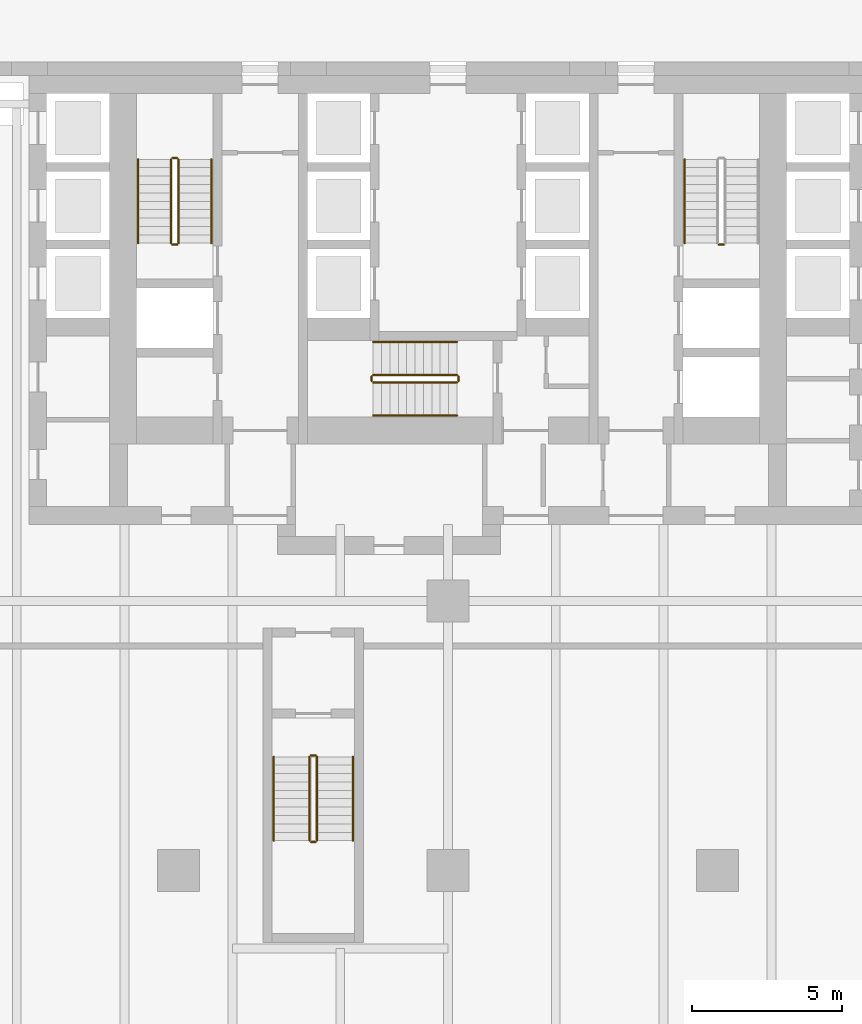
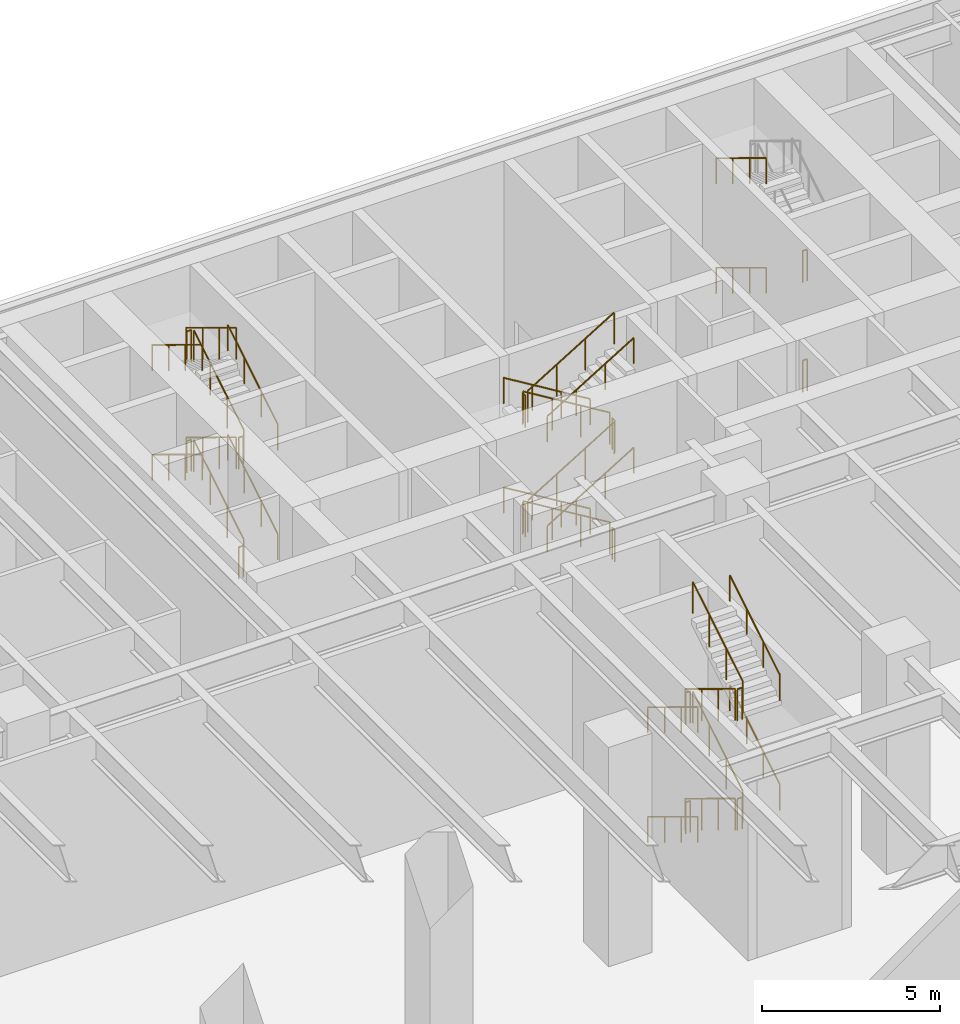
# One storey, part 35 of 37: 40 railings.
"""IFC4 building model written with IfcOpenShell, lengths in metres."""

from ifc_helpers import new_model, si_unit, direction, frame, origin, origin_2d, place, context, subcontext, project, spatial, circle, extrude, material, type_object, element, save


model = new_model("IFC4")

# Units and contexts
model_context = context("Model", 3, precision=1e-05, world=origin(), true_north=direction((0.0, 1.0)))
body_context = subcontext(model_context, "Body", "Model", "MODEL_VIEW")
ifc_project = project(units=[si_unit("LENGTHUNIT", "METRE"), si_unit("AREAUNIT", "SQUARE_METRE"), si_unit("VOLUMEUNIT", "CUBIC_METRE"), si_unit("PLANEANGLEUNIT", "RADIAN"), si_unit("MASSUNIT", "GRAM", prefix="KILO")], contexts=[model_context])

# Site, building, storey
site_placement = place(None, origin())
site = spatial("IfcSite", under=ifc_project, at=site_placement, CompositionType="ELEMENT")
building_placement = place(site_placement, origin())
building = spatial("IfcBuilding", under=site, at=building_placement, Name="Aloe Facet Convention Tower", CompositionType="ELEMENT")
storey_placement = place(building_placement, origin())
storey = spatial("IfcBuildingStorey", under=building, at=storey_placement, Name="L00", CompositionType="ELEMENT", Elevation=0.0)

# Railings
ifc_material_1 = material(Name="Steel S355 balustrade", Category="steel")
railing_type_1 = type_object("IfcRailingType", Name="CR-RL-GUARD", PredefinedType="GUARDRAIL", material=ifc_material_1)
railing_1_placement = place(storey_placement, frame((71.0, 128.949951171875, 0.17041015625)))
element("IfcRailing", 1, at=railing_1_placement, inside=storey, type_object=railing_type_1, Name="L00 ST1 stair guard 1", PredefinedType="GUARDRAIL", context=body_context, shape_type="SweptSolid", body=[
    extrude(circle(Radius=0.02392578125, at=origin_2d()), frame((0.0, 0.0, 1.076171875), z_axis=(0.0, 0.854169791009, 0.51999420009), x_axis=(-1.0, 0.0, 0.0)), (0.0, 0.0, 1.0), 3.278076171875),
    extrude(circle(Radius=0.02099609375, at=origin_2d()), origin(), (0.0, 0.0, 1.0), 1.052001953125),
    extrude(circle(Radius=0.02099609375, at=origin_2d()), frame((0.0, 0.933349609375, 0.568115234375)), (0.0, 0.0, 1.0), 1.052001953125),
    extrude(circle(Radius=0.02099609375, at=origin_2d()), frame((0.0, 1.86669921875, 1.136474609375)), (0.0, 0.0, 1.0), 1.052001953125),
    extrude(circle(Radius=0.02099609375, at=origin_2d()), frame((0.0, 2.800048828125, 1.70458984375)), (0.0, 0.0, 1.0), 1.052001953125),
])
railing_2_placement = place(storey_placement, frame((70.949951171875, 131.800048828125, 1.875)))
element("IfcRailing", 2, at=railing_2_placement, inside=storey, type_object=railing_type_1, Name="L00 ST1 stair guard 2", PredefinedType="GUARDRAIL", context=body_context, shape_type="SweptSolid", body=[
    extrude(circle(Radius=0.02392578125, at=origin_2d()), frame((0.0, 0.0, 1.076171875), z_axis=(-1.0, 0.0, 0.0), x_axis=(0.0, -1.0, 0.0)), (0.0, 0.0, 1.0), 0.14990234375),
    extrude(circle(Radius=0.02099609375, at=origin_2d()), origin(), (0.0, 0.0, 1.0), 1.052001953125),
    extrude(circle(Radius=0.02099609375, at=origin_2d()), frame((-0.14990234375, 0.0, 0.0)), (0.0, 0.0, 1.0), 1.052001953125),
])
railing_3_placement = place(storey_placement, frame((70.75, 131.75, 2.04541015625)))
element("IfcRailing", 3, at=railing_3_placement, inside=storey, type_object=railing_type_1, Name="L00 ST1 stair guard 3", PredefinedType="GUARDRAIL", context=body_context, shape_type="SweptSolid", body=[
    extrude(circle(Radius=0.02392578125, at=origin_2d()), frame((0.0, 0.0, 1.076171875), z_axis=(0.0, -0.854169791009, 0.51999420009), x_axis=(1.0, 0.0, 0.0)), (0.0, 0.0, 1.0), 3.278076171875),
    extrude(circle(Radius=0.02099609375, at=origin_2d()), origin(), (0.0, 0.0, 1.0), 1.052001953125),
    extrude(circle(Radius=0.02099609375, at=origin_2d()), frame((0.0, -0.933349609375, 0.568115234375)), (0.0, 0.0, 1.0), 1.052001953125),
    extrude(circle(Radius=0.02099609375, at=origin_2d()), frame((0.0, -1.86669921875, 1.136474609375)), (0.0, 0.0, 1.0), 1.052001953125),
    extrude(circle(Radius=0.02099609375, at=origin_2d()), frame((0.0, -2.800048828125, 1.70458984375)), (0.0, 0.0, 1.0), 1.052001953125),
])
railing_4_placement = place(storey_placement, frame((70.949951171875, 128.89990234375, 3.75)))
element("IfcRailing", 4, at=railing_4_placement, inside=storey, type_object=railing_type_1, Name="L00 ST1 stair guard 4", PredefinedType="GUARDRAIL", context=body_context, shape_type="SweptSolid", body=[
    extrude(circle(Radius=0.02392578125, at=origin_2d()), frame((0.0, 0.0, 1.076171875), z_axis=(-1.0, 0.0, 0.0), x_axis=(0.0, -1.0, 0.0)), (0.0, 0.0, 1.0), 0.14990234375),
    extrude(circle(Radius=0.02099609375, at=origin_2d()), origin(), (0.0, 0.0, 1.0), 1.052001953125),
    extrude(circle(Radius=0.02099609375, at=origin_2d()), frame((-0.14990234375, 0.0, 0.0)), (0.0, 0.0, 1.0), 1.052001953125),
])
railing_5_placement = place(storey_placement, frame((71.0, 128.949951171875, 3.92041015625)))
element("IfcRailing", 5, at=railing_5_placement, inside=storey, type_object=railing_type_1, Name="L00 ST1 stair guard 5", PredefinedType="GUARDRAIL", context=body_context, shape_type="SweptSolid", body=[
    extrude(circle(Radius=0.02392578125, at=origin_2d()), frame((0.0, 0.0, 1.076171875), z_axis=(0.0, 0.854169791009, 0.51999420009), x_axis=(-1.0, 0.0, 0.0)), (0.0, 0.0, 1.0), 3.278076171875),
    extrude(circle(Radius=0.02099609375, at=origin_2d()), origin(), (0.0, 0.0, 1.0), 1.052001953125),
    extrude(circle(Radius=0.02099609375, at=origin_2d()), frame((0.0, 0.933349609375, 0.568115234375)), (0.0, 0.0, 1.0), 1.052001953125),
    extrude(circle(Radius=0.02099609375, at=origin_2d()), frame((0.0, 1.86669921875, 1.136474609375)), (0.0, 0.0, 1.0), 1.052001953125),
    extrude(circle(Radius=0.02099609375, at=origin_2d()), frame((0.0, 2.800048828125, 1.70458984375)), (0.0, 0.0, 1.0), 1.052001953125),
])
railing_6_placement = place(storey_placement, frame((70.949951171875, 131.800048828125, 5.625)))
element("IfcRailing", 6, at=railing_6_placement, inside=storey, type_object=railing_type_1, Name="L00 ST1 stair guard 6", PredefinedType="GUARDRAIL", context=body_context, shape_type="SweptSolid", body=[
    extrude(circle(Radius=0.02392578125, at=origin_2d()), frame((0.0, 0.0, 1.076171875), z_axis=(-1.0, 0.0, 0.0), x_axis=(0.0, -1.0, 0.0)), (0.0, 0.0, 1.0), 0.14990234375),
    extrude(circle(Radius=0.02099609375, at=origin_2d()), origin(), (0.0, 0.0, 1.0), 1.052001953125),
    extrude(circle(Radius=0.02099609375, at=origin_2d()), frame((-0.14990234375, 0.0, 0.0)), (0.0, 0.0, 1.0), 1.052001953125),
])
railing_7_placement = place(storey_placement, frame((70.75, 131.75, 5.79541015625)))
element("IfcRailing", 7, at=railing_7_placement, inside=storey, type_object=railing_type_1, Name="L00 ST1 stair guard 7", PredefinedType="GUARDRAIL", context=body_context, shape_type="SweptSolid", body=[
    extrude(circle(Radius=0.02392578125, at=origin_2d()), frame((0.0, 0.0, 1.076171875), z_axis=(0.0, -0.854169791009, 0.51999420009), x_axis=(1.0, 0.0, 0.0)), (0.0, 0.0, 1.0), 3.278076171875),
    extrude(circle(Radius=0.02099609375, at=origin_2d()), origin(), (0.0, 0.0, 1.0), 1.052001953125),
    extrude(circle(Radius=0.02099609375, at=origin_2d()), frame((0.0, -0.933349609375, 0.568115234375)), (0.0, 0.0, 1.0), 1.052001953125),
    extrude(circle(Radius=0.02099609375, at=origin_2d()), frame((0.0, -1.86669921875, 1.136474609375)), (0.0, 0.0, 1.0), 1.052001953125),
    extrude(circle(Radius=0.02099609375, at=origin_2d()), frame((0.0, -2.800048828125, 1.70458984375)), (0.0, 0.0, 1.0), 1.052001953125),
])
for number, where, name in (
    (8, (70.949951171875, 128.89990234375, 0.0), "L00 ST1 stair guard 8"),
    (9, (89.199951171875, 128.89990234375, 3.75), "L00 ST2 stair guard 4"),
    (10, (89.199951171875, 128.89990234375, 0.0), "L00 ST2 stair guard 8"),
):
    element("IfcRailing", number, at=place(storey_placement, frame(where)), inside=storey, type_object=railing_type_1, Name=name, PredefinedType="GUARDRAIL", context=body_context, shape_type="SweptSolid", body=[
        extrude(circle(Radius=0.02392578125, at=origin_2d()), frame((0.0, 0.0, 1.076171875), z_axis=(-1.0, 0.0, 0.0), x_axis=(0.0, -1.0, 0.0)), (0.0, 0.0, 1.0), 0.14990234375),
        extrude(circle(Radius=0.02099609375, at=origin_2d()), origin(), (0.0, 0.0, 1.0), 1.052001953125),
        extrude(circle(Radius=0.02099609375, at=origin_2d()), frame((-0.14990234375, 0.0, 0.0)), (0.0, 0.0, 1.0), 1.052001953125),
    ])
railing_8_placement = place(storey_placement, frame((80.300048828125, 124.550048828125, 0.17041015625)))
element("IfcRailing", 11, at=railing_8_placement, inside=storey, type_object=railing_type_1, Name="L00 ST3 stair guard 1", PredefinedType="GUARDRAIL", context=body_context, shape_type="SweptSolid", body=[
    extrude(circle(Radius=0.02392578125, at=origin_2d()), frame((0.0, 0.0, 1.076171875), z_axis=(-0.854169791009, 0.0, 0.51999420009), x_axis=(0.0, -1.0, 0.0)), (0.0, 0.0, 1.0), 3.278076171875),
    extrude(circle(Radius=0.02099609375, at=origin_2d()), origin(), (0.0, 0.0, 1.0), 1.052001953125),
    extrude(circle(Radius=0.02099609375, at=origin_2d()), frame((-0.933349609375, 0.0, 0.568115234375)), (0.0, 0.0, 1.0), 1.052001953125),
    extrude(circle(Radius=0.02099609375, at=origin_2d()), frame((-1.86669921875, 0.0, 1.136474609375)), (0.0, 0.0, 1.0), 1.052001953125),
    extrude(circle(Radius=0.02099609375, at=origin_2d()), frame((-2.800048828125, 0.0, 1.70458984375)), (0.0, 0.0, 1.0), 1.052001953125),
])
railing_9_placement = place(storey_placement, frame((77.449951171875, 124.5, 1.875)))
element("IfcRailing", 12, at=railing_9_placement, inside=storey, type_object=railing_type_1, Name="L00 ST3 stair guard 2", PredefinedType="GUARDRAIL", context=body_context, shape_type="SweptSolid", body=[
    extrude(circle(Radius=0.02392578125, at=origin_2d()), frame((0.0, 0.0, 1.076171875), z_axis=(0.0, -1.0, 0.0), x_axis=(1.0, 0.0, 0.0)), (0.0, 0.0, 1.0), 0.14990234375),
    extrude(circle(Radius=0.02099609375, at=origin_2d()), origin(), (0.0, 0.0, 1.0), 1.052001953125),
    extrude(circle(Radius=0.02099609375, at=origin_2d()), frame((0.0, -0.14990234375, 0.0)), (0.0, 0.0, 1.0), 1.052001953125),
])
railing_10_placement = place(storey_placement, frame((77.5, 124.300048828125, 2.04541015625)))
element("IfcRailing", 13, at=railing_10_placement, inside=storey, type_object=railing_type_1, Name="L00 ST3 stair guard 3", PredefinedType="GUARDRAIL", context=body_context, shape_type="SweptSolid", body=[
    extrude(circle(Radius=0.02392578125, at=origin_2d()), frame((0.0, 0.0, 1.076171875), z_axis=(0.854169791009, 0.0, 0.51999420009), x_axis=(0.0, 1.0, 0.0)), (0.0, 0.0, 1.0), 3.278076171875),
    extrude(circle(Radius=0.02099609375, at=origin_2d()), origin(), (0.0, 0.0, 1.0), 1.052001953125),
    extrude(circle(Radius=0.02099609375, at=origin_2d()), frame((0.933349609375, 0.0, 0.568115234375)), (0.0, 0.0, 1.0), 1.052001953125),
    extrude(circle(Radius=0.02099609375, at=origin_2d()), frame((1.86669921875, 0.0, 1.136474609375)), (0.0, 0.0, 1.0), 1.052001953125),
    extrude(circle(Radius=0.02099609375, at=origin_2d()), frame((2.800048828125, 0.0, 1.70458984375)), (0.0, 0.0, 1.0), 1.052001953125),
])
railing_11_placement = place(storey_placement, frame((80.35009765625, 124.5, 3.75)))
element("IfcRailing", 14, at=railing_11_placement, inside=storey, type_object=railing_type_1, Name="L00 ST3 stair guard 4", PredefinedType="GUARDRAIL", context=body_context, shape_type="SweptSolid", body=[
    extrude(circle(Radius=0.02392578125, at=origin_2d()), frame((0.0, 0.0, 1.076171875), z_axis=(0.0, -1.0, 0.0), x_axis=(1.0, 0.0, 0.0)), (0.0, 0.0, 1.0), 0.14990234375),
    extrude(circle(Radius=0.02099609375, at=origin_2d()), origin(), (0.0, 0.0, 1.0), 1.052001953125),
    extrude(circle(Radius=0.02099609375, at=origin_2d()), frame((0.0, -0.14990234375, 0.0)), (0.0, 0.0, 1.0), 1.052001953125),
])
railing_12_placement = place(storey_placement, frame((80.300048828125, 124.550048828125, 3.92041015625)))
element("IfcRailing", 15, at=railing_12_placement, inside=storey, type_object=railing_type_1, Name="L00 ST3 stair guard 5", PredefinedType="GUARDRAIL", context=body_context, shape_type="SweptSolid", body=[
    extrude(circle(Radius=0.02392578125, at=origin_2d()), frame((0.0, 0.0, 1.076171875), z_axis=(-0.854169791009, 0.0, 0.51999420009), x_axis=(0.0, -1.0, 0.0)), (0.0, 0.0, 1.0), 3.278076171875),
    extrude(circle(Radius=0.02099609375, at=origin_2d()), origin(), (0.0, 0.0, 1.0), 1.052001953125),
    extrude(circle(Radius=0.02099609375, at=origin_2d()), frame((-0.933349609375, 0.0, 0.568115234375)), (0.0, 0.0, 1.0), 1.052001953125),
    extrude(circle(Radius=0.02099609375, at=origin_2d()), frame((-1.86669921875, 0.0, 1.136474609375)), (0.0, 0.0, 1.0), 1.052001953125),
    extrude(circle(Radius=0.02099609375, at=origin_2d()), frame((-2.800048828125, 0.0, 1.70458984375)), (0.0, 0.0, 1.0), 1.052001953125),
])
railing_13_placement = place(storey_placement, frame((77.449951171875, 124.5, 5.625)))
element("IfcRailing", 16, at=railing_13_placement, inside=storey, type_object=railing_type_1, Name="L00 ST3 stair guard 6", PredefinedType="GUARDRAIL", context=body_context, shape_type="SweptSolid", body=[
    extrude(circle(Radius=0.02392578125, at=origin_2d()), frame((0.0, 0.0, 1.076171875), z_axis=(0.0, -1.0, 0.0), x_axis=(1.0, 0.0, 0.0)), (0.0, 0.0, 1.0), 0.14990234375),
    extrude(circle(Radius=0.02099609375, at=origin_2d()), origin(), (0.0, 0.0, 1.0), 1.052001953125),
    extrude(circle(Radius=0.02099609375, at=origin_2d()), frame((0.0, -0.14990234375, 0.0)), (0.0, 0.0, 1.0), 1.052001953125),
])
railing_14_placement = place(storey_placement, frame((77.5, 124.300048828125, 5.79541015625)))
element("IfcRailing", 17, at=railing_14_placement, inside=storey, type_object=railing_type_1, Name="L00 ST3 stair guard 7", PredefinedType="GUARDRAIL", context=body_context, shape_type="SweptSolid", body=[
    extrude(circle(Radius=0.02392578125, at=origin_2d()), frame((0.0, 0.0, 1.076171875), z_axis=(0.854169791009, 0.0, 0.51999420009), x_axis=(0.0, 1.0, 0.0)), (0.0, 0.0, 1.0), 3.278076171875),
    extrude(circle(Radius=0.02099609375, at=origin_2d()), origin(), (0.0, 0.0, 1.0), 1.052001953125),
    extrude(circle(Radius=0.02099609375, at=origin_2d()), frame((0.933349609375, 0.0, 0.568115234375)), (0.0, 0.0, 1.0), 1.052001953125),
    extrude(circle(Radius=0.02099609375, at=origin_2d()), frame((1.86669921875, 0.0, 1.136474609375)), (0.0, 0.0, 1.0), 1.052001953125),
    extrude(circle(Radius=0.02099609375, at=origin_2d()), frame((2.800048828125, 0.0, 1.70458984375)), (0.0, 0.0, 1.0), 1.052001953125),
])
railing_15_placement = place(storey_placement, frame((80.35009765625, 124.5, 0.0)))
element("IfcRailing", 18, at=railing_15_placement, inside=storey, type_object=railing_type_1, Name="L00 ST3 stair guard 8", PredefinedType="GUARDRAIL", context=body_context, shape_type="SweptSolid", body=[
    extrude(circle(Radius=0.02392578125, at=origin_2d()), frame((0.0, 0.0, 1.076171875), z_axis=(0.0, -1.0, 0.0), x_axis=(1.0, 0.0, 0.0)), (0.0, 0.0, 1.0), 0.14990234375),
    extrude(circle(Radius=0.02099609375, at=origin_2d()), origin(), (0.0, 0.0, 1.0), 1.052001953125),
    extrude(circle(Radius=0.02099609375, at=origin_2d()), frame((0.0, -0.14990234375, 0.0)), (0.0, 0.0, 1.0), 1.052001953125),
])
railing_16_placement = place(storey_placement, frame((75.375, 111.800048828125, 0.17041015625)))
element("IfcRailing", 19, at=railing_16_placement, inside=storey, type_object=railing_type_1, Name="L00 ST5 stair guard 1", PredefinedType="GUARDRAIL", context=body_context, shape_type="SweptSolid", body=[
    extrude(circle(Radius=0.02392578125, at=origin_2d()), frame((0.0, 0.0, 1.076171875), z_axis=(0.0, -0.854169791009, 0.51999420009), x_axis=(1.0, 0.0, 0.0)), (0.0, 0.0, 1.0), 3.278076171875),
    extrude(circle(Radius=0.02099609375, at=origin_2d()), origin(), (0.0, 0.0, 1.0), 1.052001953125),
    extrude(circle(Radius=0.02099609375, at=origin_2d()), frame((0.0, -0.933349609375, 0.568115234375)), (0.0, 0.0, 1.0), 1.052001953125),
    extrude(circle(Radius=0.02099609375, at=origin_2d()), frame((0.0, -1.86669921875, 1.136474609375)), (0.0, 0.0, 1.0), 1.052001953125),
    extrude(circle(Radius=0.02099609375, at=origin_2d()), frame((0.0, -2.800048828125, 1.70458984375)), (0.0, 0.0, 1.0), 1.052001953125),
])
railing_17_placement = place(storey_placement, frame((75.425048828125, 108.949951171875, 1.875)))
element("IfcRailing", 20, at=railing_17_placement, inside=storey, type_object=railing_type_1, Name="L00 ST5 stair guard 2", PredefinedType="GUARDRAIL", context=body_context, shape_type="SweptSolid", body=[
    extrude(circle(Radius=0.02392578125, at=origin_2d()), frame((0.0, 0.0, 1.076171875), z_axis=(1.0, 0.0, 0.0), x_axis=(0.0, 1.0, 0.0)), (0.0, 0.0, 1.0), 0.14990234375),
    extrude(circle(Radius=0.02099609375, at=origin_2d()), origin(), (0.0, 0.0, 1.0), 1.052001953125),
    extrude(circle(Radius=0.02099609375, at=origin_2d()), frame((0.14990234375, 0.0, 0.0)), (0.0, 0.0, 1.0), 1.052001953125),
])
railing_18_placement = place(storey_placement, frame((75.625, 109.0, 2.04541015625)))
element("IfcRailing", 21, at=railing_18_placement, inside=storey, type_object=railing_type_1, Name="L00 ST5 stair guard 3", PredefinedType="GUARDRAIL", context=body_context, shape_type="SweptSolid", body=[
    extrude(circle(Radius=0.02392578125, at=origin_2d()), frame((0.0, 0.0, 1.076171875), z_axis=(0.0, 0.854169791009, 0.51999420009), x_axis=(-1.0, 0.0, 0.0)), (0.0, 0.0, 1.0), 3.278076171875),
    extrude(circle(Radius=0.02099609375, at=origin_2d()), origin(), (0.0, 0.0, 1.0), 1.052001953125),
    extrude(circle(Radius=0.02099609375, at=origin_2d()), frame((0.0, 0.933349609375, 0.568115234375)), (0.0, 0.0, 1.0), 1.052001953125),
    extrude(circle(Radius=0.02099609375, at=origin_2d()), frame((0.0, 1.86669921875, 1.136474609375)), (0.0, 0.0, 1.0), 1.052001953125),
    extrude(circle(Radius=0.02099609375, at=origin_2d()), frame((0.0, 2.800048828125, 1.70458984375)), (0.0, 0.0, 1.0), 1.052001953125),
])
railing_19_placement = place(storey_placement, frame((75.425048828125, 111.85009765625, 3.75)))
element("IfcRailing", 22, at=railing_19_placement, inside=storey, type_object=railing_type_1, Name="L00 ST5 stair guard 4", PredefinedType="GUARDRAIL", context=body_context, shape_type="SweptSolid", body=[
    extrude(circle(Radius=0.02392578125, at=origin_2d()), frame((0.0, 0.0, 1.076171875), z_axis=(1.0, 0.0, 0.0), x_axis=(0.0, 1.0, 0.0)), (0.0, 0.0, 1.0), 0.14990234375),
    extrude(circle(Radius=0.02099609375, at=origin_2d()), origin(), (0.0, 0.0, 1.0), 1.052001953125),
    extrude(circle(Radius=0.02099609375, at=origin_2d()), frame((0.14990234375, 0.0, 0.0)), (0.0, 0.0, 1.0), 1.052001953125),
])
railing_20_placement = place(storey_placement, frame((75.375, 111.800048828125, 3.92041015625)))
element("IfcRailing", 23, at=railing_20_placement, inside=storey, type_object=railing_type_1, Name="L00 ST5 stair guard 5", PredefinedType="GUARDRAIL", context=body_context, shape_type="SweptSolid", body=[
    extrude(circle(Radius=0.02392578125, at=origin_2d()), frame((0.0, 0.0, 1.076171875), z_axis=(0.0, -0.854169791009, 0.51999420009), x_axis=(1.0, 0.0, 0.0)), (0.0, 0.0, 1.0), 3.278076171875),
    extrude(circle(Radius=0.02099609375, at=origin_2d()), origin(), (0.0, 0.0, 1.0), 1.052001953125),
    extrude(circle(Radius=0.02099609375, at=origin_2d()), frame((0.0, -0.933349609375, 0.568115234375)), (0.0, 0.0, 1.0), 1.052001953125),
    extrude(circle(Radius=0.02099609375, at=origin_2d()), frame((0.0, -1.86669921875, 1.136474609375)), (0.0, 0.0, 1.0), 1.052001953125),
    extrude(circle(Radius=0.02099609375, at=origin_2d()), frame((0.0, -2.800048828125, 1.70458984375)), (0.0, 0.0, 1.0), 1.052001953125),
])
railing_21_placement = place(storey_placement, frame((75.425048828125, 108.949951171875, 5.625)))
element("IfcRailing", 24, at=railing_21_placement, inside=storey, type_object=railing_type_1, Name="L00 ST5 stair guard 6", PredefinedType="GUARDRAIL", context=body_context, shape_type="SweptSolid", body=[
    extrude(circle(Radius=0.02392578125, at=origin_2d()), frame((0.0, 0.0, 1.076171875), z_axis=(1.0, 0.0, 0.0), x_axis=(0.0, 1.0, 0.0)), (0.0, 0.0, 1.0), 0.14990234375),
    extrude(circle(Radius=0.02099609375, at=origin_2d()), origin(), (0.0, 0.0, 1.0), 1.052001953125),
    extrude(circle(Radius=0.02099609375, at=origin_2d()), frame((0.14990234375, 0.0, 0.0)), (0.0, 0.0, 1.0), 1.052001953125),
])
railing_22_placement = place(storey_placement, frame((75.625, 109.0, 5.79541015625)))
element("IfcRailing", 25, at=railing_22_placement, inside=storey, type_object=railing_type_1, Name="L00 ST5 stair guard 7", PredefinedType="GUARDRAIL", context=body_context, shape_type="SweptSolid", body=[
    extrude(circle(Radius=0.02392578125, at=origin_2d()), frame((0.0, 0.0, 1.076171875), z_axis=(0.0, 0.854169791009, 0.51999420009), x_axis=(-1.0, 0.0, 0.0)), (0.0, 0.0, 1.0), 3.278076171875),
    extrude(circle(Radius=0.02099609375, at=origin_2d()), origin(), (0.0, 0.0, 1.0), 1.052001953125),
    extrude(circle(Radius=0.02099609375, at=origin_2d()), frame((0.0, 0.933349609375, 0.568115234375)), (0.0, 0.0, 1.0), 1.052001953125),
    extrude(circle(Radius=0.02099609375, at=origin_2d()), frame((0.0, 1.86669921875, 1.136474609375)), (0.0, 0.0, 1.0), 1.052001953125),
    extrude(circle(Radius=0.02099609375, at=origin_2d()), frame((0.0, 2.800048828125, 1.70458984375)), (0.0, 0.0, 1.0), 1.052001953125),
])
railing_23_placement = place(storey_placement, frame((75.425048828125, 111.85009765625, 0.0)))
element("IfcRailing", 26, at=railing_23_placement, inside=storey, type_object=railing_type_1, Name="L00 ST5 stair guard 8", PredefinedType="GUARDRAIL", context=body_context, shape_type="SweptSolid", body=[
    extrude(circle(Radius=0.02392578125, at=origin_2d()), frame((0.0, 0.0, 1.076171875), z_axis=(1.0, 0.0, 0.0), x_axis=(0.0, 1.0, 0.0)), (0.0, 0.0, 1.0), 0.14990234375),
    extrude(circle(Radius=0.02099609375, at=origin_2d()), origin(), (0.0, 0.0, 1.0), 1.052001953125),
    extrude(circle(Radius=0.02099609375, at=origin_2d()), frame((0.14990234375, 0.0, 0.0)), (0.0, 0.0, 1.0), 1.052001953125),
])
ifc_material_2 = material(Name="Steel S355 handrail", Category="steel")
railing_type_2 = type_object("IfcRailingType", Name="CR-RL-HAND", PredefinedType="HANDRAIL", material=ifc_material_2)
railing_24_placement = place(storey_placement, frame((72.10009765625, 128.949951171875, 0.17041015625)))
element("IfcRailing", 27, at=railing_24_placement, inside=storey, type_object=railing_type_2, Name="L00 ST1 stair handrail 1", PredefinedType="HANDRAIL", context=body_context, shape_type="SweptSolid", body=[
    extrude(circle(Radius=0.02392578125, at=origin_2d()), frame((0.0, 0.0, 0.8759765625), z_axis=(0.0, 0.854169791009, 0.51999420009), x_axis=(-1.0, 0.0, 0.0)), (0.0, 0.0, 1.0), 3.278076171875),
    extrude(circle(Radius=0.02099609375, at=origin_2d()), origin(), (0.0, 0.0, 1.0), 0.851806640625),
    extrude(circle(Radius=0.02099609375, at=origin_2d()), frame((0.0, 0.933349609375, 0.568115234375)), (0.0, 0.0, 1.0), 0.851806640625),
    extrude(circle(Radius=0.02099609375, at=origin_2d()), frame((0.0, 1.86669921875, 1.136474609375)), (0.0, 0.0, 1.0), 0.851806640625),
    extrude(circle(Radius=0.02099609375, at=origin_2d()), frame((0.0, 2.800048828125, 1.70458984375)), (0.0, 0.0, 1.0), 0.851806640625),
])
railing_25_placement = place(storey_placement, frame((69.64990234375, 131.75, 2.04541015625)))
element("IfcRailing", 28, at=railing_25_placement, inside=storey, type_object=railing_type_2, Name="L00 ST1 stair handrail 2", PredefinedType="HANDRAIL", context=body_context, shape_type="SweptSolid", body=[
    extrude(circle(Radius=0.02392578125, at=origin_2d()), frame((0.0, 0.0, 0.8759765625), z_axis=(0.0, -0.854169791009, 0.51999420009), x_axis=(1.0, 0.0, 0.0)), (0.0, 0.0, 1.0), 3.278076171875),
    extrude(circle(Radius=0.02099609375, at=origin_2d()), origin(), (0.0, 0.0, 1.0), 0.851806640625),
    extrude(circle(Radius=0.02099609375, at=origin_2d()), frame((0.0, -0.933349609375, 0.568115234375)), (0.0, 0.0, 1.0), 0.851806640625),
    extrude(circle(Radius=0.02099609375, at=origin_2d()), frame((0.0, -1.86669921875, 1.136474609375)), (0.0, 0.0, 1.0), 0.851806640625),
    extrude(circle(Radius=0.02099609375, at=origin_2d()), frame((0.0, -2.800048828125, 1.70458984375)), (0.0, 0.0, 1.0), 0.851806640625),
])
railing_26_placement = place(storey_placement, frame((72.10009765625, 128.949951171875, 3.92041015625)))
element("IfcRailing", 29, at=railing_26_placement, inside=storey, type_object=railing_type_2, Name="L00 ST1 stair handrail 3", PredefinedType="HANDRAIL", context=body_context, shape_type="SweptSolid", body=[
    extrude(circle(Radius=0.02392578125, at=origin_2d()), frame((0.0, 0.0, 0.8759765625), z_axis=(0.0, 0.854169791009, 0.51999420009), x_axis=(-1.0, 0.0, 0.0)), (0.0, 0.0, 1.0), 3.278076171875),
    extrude(circle(Radius=0.02099609375, at=origin_2d()), origin(), (0.0, 0.0, 1.0), 0.851806640625),
    extrude(circle(Radius=0.02099609375, at=origin_2d()), frame((0.0, 0.933349609375, 0.568115234375)), (0.0, 0.0, 1.0), 0.851806640625),
    extrude(circle(Radius=0.02099609375, at=origin_2d()), frame((0.0, 1.86669921875, 1.136474609375)), (0.0, 0.0, 1.0), 0.851806640625),
    extrude(circle(Radius=0.02099609375, at=origin_2d()), frame((0.0, 2.800048828125, 1.70458984375)), (0.0, 0.0, 1.0), 0.851806640625),
])
for number, where, name in (
    (30, (69.64990234375, 131.75, 5.79541015625), "L00 ST1 stair handrail 4"),
    (31, (87.89990234375, 131.75, 2.04541015625), "L00 ST2 stair handrail 2"),
    (32, (87.89990234375, 131.75, 5.79541015625), "L00 ST2 stair handrail 4"),
):
    element("IfcRailing", number, at=place(storey_placement, frame(where)), inside=storey, type_object=railing_type_2, Name=name, PredefinedType="HANDRAIL", context=body_context, shape_type="SweptSolid", body=[
        extrude(circle(Radius=0.02392578125, at=origin_2d()), frame((0.0, 0.0, 0.8759765625), z_axis=(0.0, -0.854169791009, 0.51999420009), x_axis=(1.0, 0.0, 0.0)), (0.0, 0.0, 1.0), 3.278076171875),
        extrude(circle(Radius=0.02099609375, at=origin_2d()), origin(), (0.0, 0.0, 1.0), 0.851806640625),
        extrude(circle(Radius=0.02099609375, at=origin_2d()), frame((0.0, -0.933349609375, 0.568115234375)), (0.0, 0.0, 1.0), 0.851806640625),
        extrude(circle(Radius=0.02099609375, at=origin_2d()), frame((0.0, -1.86669921875, 1.136474609375)), (0.0, 0.0, 1.0), 0.851806640625),
        extrude(circle(Radius=0.02099609375, at=origin_2d()), frame((0.0, -2.800048828125, 1.70458984375)), (0.0, 0.0, 1.0), 0.851806640625),
    ])
railing_27_placement = place(storey_placement, frame((80.300048828125, 125.64990234375, 0.17041015625)))
element("IfcRailing", 33, at=railing_27_placement, inside=storey, type_object=railing_type_2, Name="L00 ST3 stair handrail 1", PredefinedType="HANDRAIL", context=body_context, shape_type="SweptSolid", body=[
    extrude(circle(Radius=0.02392578125, at=origin_2d()), frame((0.0, 0.0, 0.8759765625), z_axis=(-0.854169791009, 0.0, 0.51999420009), x_axis=(0.0, -1.0, 0.0)), (0.0, 0.0, 1.0), 3.278076171875),
    extrude(circle(Radius=0.02099609375, at=origin_2d()), origin(), (0.0, 0.0, 1.0), 0.851806640625),
    extrude(circle(Radius=0.02099609375, at=origin_2d()), frame((-0.933349609375, 0.0, 0.568115234375)), (0.0, 0.0, 1.0), 0.851806640625),
    extrude(circle(Radius=0.02099609375, at=origin_2d()), frame((-1.86669921875, 0.0, 1.136474609375)), (0.0, 0.0, 1.0), 0.851806640625),
    extrude(circle(Radius=0.02099609375, at=origin_2d()), frame((-2.800048828125, 0.0, 1.70458984375)), (0.0, 0.0, 1.0), 0.851806640625),
])
railing_28_placement = place(storey_placement, frame((77.5, 123.199951171875, 2.04541015625)))
element("IfcRailing", 34, at=railing_28_placement, inside=storey, type_object=railing_type_2, Name="L00 ST3 stair handrail 2", PredefinedType="HANDRAIL", context=body_context, shape_type="SweptSolid", body=[
    extrude(circle(Radius=0.02392578125, at=origin_2d()), frame((0.0, 0.0, 0.8759765625), z_axis=(0.854169791009, 0.0, 0.51999420009), x_axis=(0.0, 1.0, 0.0)), (0.0, 0.0, 1.0), 3.278076171875),
    extrude(circle(Radius=0.02099609375, at=origin_2d()), origin(), (0.0, 0.0, 1.0), 0.851806640625),
    extrude(circle(Radius=0.02099609375, at=origin_2d()), frame((0.933349609375, 0.0, 0.568115234375)), (0.0, 0.0, 1.0), 0.851806640625),
    extrude(circle(Radius=0.02099609375, at=origin_2d()), frame((1.86669921875, 0.0, 1.136474609375)), (0.0, 0.0, 1.0), 0.851806640625),
    extrude(circle(Radius=0.02099609375, at=origin_2d()), frame((2.800048828125, 0.0, 1.70458984375)), (0.0, 0.0, 1.0), 0.851806640625),
])
railing_29_placement = place(storey_placement, frame((80.300048828125, 125.64990234375, 3.92041015625)))
element("IfcRailing", 35, at=railing_29_placement, inside=storey, type_object=railing_type_2, Name="L00 ST3 stair handrail 3", PredefinedType="HANDRAIL", context=body_context, shape_type="SweptSolid", body=[
    extrude(circle(Radius=0.02392578125, at=origin_2d()), frame((0.0, 0.0, 0.8759765625), z_axis=(-0.854169791009, 0.0, 0.51999420009), x_axis=(0.0, -1.0, 0.0)), (0.0, 0.0, 1.0), 3.278076171875),
    extrude(circle(Radius=0.02099609375, at=origin_2d()), origin(), (0.0, 0.0, 1.0), 0.851806640625),
    extrude(circle(Radius=0.02099609375, at=origin_2d()), frame((-0.933349609375, 0.0, 0.568115234375)), (0.0, 0.0, 1.0), 0.851806640625),
    extrude(circle(Radius=0.02099609375, at=origin_2d()), frame((-1.86669921875, 0.0, 1.136474609375)), (0.0, 0.0, 1.0), 0.851806640625),
    extrude(circle(Radius=0.02099609375, at=origin_2d()), frame((-2.800048828125, 0.0, 1.70458984375)), (0.0, 0.0, 1.0), 0.851806640625),
])
railing_30_placement = place(storey_placement, frame((77.5, 123.199951171875, 5.79541015625)))
element("IfcRailing", 36, at=railing_30_placement, inside=storey, type_object=railing_type_2, Name="L00 ST3 stair handrail 4", PredefinedType="HANDRAIL", context=body_context, shape_type="SweptSolid", body=[
    extrude(circle(Radius=0.02392578125, at=origin_2d()), frame((0.0, 0.0, 0.8759765625), z_axis=(0.854169791009, 0.0, 0.51999420009), x_axis=(0.0, 1.0, 0.0)), (0.0, 0.0, 1.0), 3.278076171875),
    extrude(circle(Radius=0.02099609375, at=origin_2d()), origin(), (0.0, 0.0, 1.0), 0.851806640625),
    extrude(circle(Radius=0.02099609375, at=origin_2d()), frame((0.933349609375, 0.0, 0.568115234375)), (0.0, 0.0, 1.0), 0.851806640625),
    extrude(circle(Radius=0.02099609375, at=origin_2d()), frame((1.86669921875, 0.0, 1.136474609375)), (0.0, 0.0, 1.0), 0.851806640625),
    extrude(circle(Radius=0.02099609375, at=origin_2d()), frame((2.800048828125, 0.0, 1.70458984375)), (0.0, 0.0, 1.0), 0.851806640625),
])
railing_31_placement = place(storey_placement, frame((74.175048828125, 111.800048828125, 0.17041015625)))
element("IfcRailing", 37, at=railing_31_placement, inside=storey, type_object=railing_type_2, Name="L00 ST5 stair handrail 1", PredefinedType="HANDRAIL", context=body_context, shape_type="SweptSolid", body=[
    extrude(circle(Radius=0.02392578125, at=origin_2d()), frame((0.0, 0.0, 0.8759765625), z_axis=(0.0, -0.854169791009, 0.51999420009), x_axis=(1.0, 0.0, 0.0)), (0.0, 0.0, 1.0), 3.278076171875),
    extrude(circle(Radius=0.02099609375, at=origin_2d()), origin(), (0.0, 0.0, 1.0), 0.851806640625),
    extrude(circle(Radius=0.02099609375, at=origin_2d()), frame((0.0, -0.933349609375, 0.568115234375)), (0.0, 0.0, 1.0), 0.851806640625),
    extrude(circle(Radius=0.02099609375, at=origin_2d()), frame((0.0, -1.86669921875, 1.136474609375)), (0.0, 0.0, 1.0), 0.851806640625),
    extrude(circle(Radius=0.02099609375, at=origin_2d()), frame((0.0, -2.800048828125, 1.70458984375)), (0.0, 0.0, 1.0), 0.851806640625),
])
railing_32_placement = place(storey_placement, frame((76.824951171875, 109.0, 2.04541015625)))
element("IfcRailing", 38, at=railing_32_placement, inside=storey, type_object=railing_type_2, Name="L00 ST5 stair handrail 2", PredefinedType="HANDRAIL", context=body_context, shape_type="SweptSolid", body=[
    extrude(circle(Radius=0.02392578125, at=origin_2d()), frame((0.0, 0.0, 0.8759765625), z_axis=(0.0, 0.854169791009, 0.51999420009), x_axis=(-1.0, 0.0, 0.0)), (0.0, 0.0, 1.0), 3.278076171875),
    extrude(circle(Radius=0.02099609375, at=origin_2d()), origin(), (0.0, 0.0, 1.0), 0.851806640625),
    extrude(circle(Radius=0.02099609375, at=origin_2d()), frame((0.0, 0.933349609375, 0.568115234375)), (0.0, 0.0, 1.0), 0.851806640625),
    extrude(circle(Radius=0.02099609375, at=origin_2d()), frame((0.0, 1.86669921875, 1.136474609375)), (0.0, 0.0, 1.0), 0.851806640625),
    extrude(circle(Radius=0.02099609375, at=origin_2d()), frame((0.0, 2.800048828125, 1.70458984375)), (0.0, 0.0, 1.0), 0.851806640625),
])
railing_33_placement = place(storey_placement, frame((74.175048828125, 111.800048828125, 3.92041015625)))
element("IfcRailing", 39, at=railing_33_placement, inside=storey, type_object=railing_type_2, Name="L00 ST5 stair handrail 3", PredefinedType="HANDRAIL", context=body_context, shape_type="SweptSolid", body=[
    extrude(circle(Radius=0.02392578125, at=origin_2d()), frame((0.0, 0.0, 0.8759765625), z_axis=(0.0, -0.854169791009, 0.51999420009), x_axis=(1.0, 0.0, 0.0)), (0.0, 0.0, 1.0), 3.278076171875),
    extrude(circle(Radius=0.02099609375, at=origin_2d()), origin(), (0.0, 0.0, 1.0), 0.851806640625),
    extrude(circle(Radius=0.02099609375, at=origin_2d()), frame((0.0, -0.933349609375, 0.568115234375)), (0.0, 0.0, 1.0), 0.851806640625),
    extrude(circle(Radius=0.02099609375, at=origin_2d()), frame((0.0, -1.86669921875, 1.136474609375)), (0.0, 0.0, 1.0), 0.851806640625),
    extrude(circle(Radius=0.02099609375, at=origin_2d()), frame((0.0, -2.800048828125, 1.70458984375)), (0.0, 0.0, 1.0), 0.851806640625),
])
railing_34_placement = place(storey_placement, frame((76.824951171875, 109.0, 5.79541015625)))
element("IfcRailing", 40, at=railing_34_placement, inside=storey, type_object=railing_type_2, Name="L00 ST5 stair handrail 4", PredefinedType="HANDRAIL", context=body_context, shape_type="SweptSolid", body=[
    extrude(circle(Radius=0.02392578125, at=origin_2d()), frame((0.0, 0.0, 0.8759765625), z_axis=(0.0, 0.854169791009, 0.51999420009), x_axis=(-1.0, 0.0, 0.0)), (0.0, 0.0, 1.0), 3.278076171875),
    extrude(circle(Radius=0.02099609375, at=origin_2d()), origin(), (0.0, 0.0, 1.0), 0.851806640625),
    extrude(circle(Radius=0.02099609375, at=origin_2d()), frame((0.0, 0.933349609375, 0.568115234375)), (0.0, 0.0, 1.0), 0.851806640625),
    extrude(circle(Radius=0.02099609375, at=origin_2d()), frame((0.0, 1.86669921875, 1.136474609375)), (0.0, 0.0, 1.0), 0.851806640625),
    extrude(circle(Radius=0.02099609375, at=origin_2d()), frame((0.0, 2.800048828125, 1.70458984375)), (0.0, 0.0, 1.0), 0.851806640625),
])

save(model, "model.ifc")
